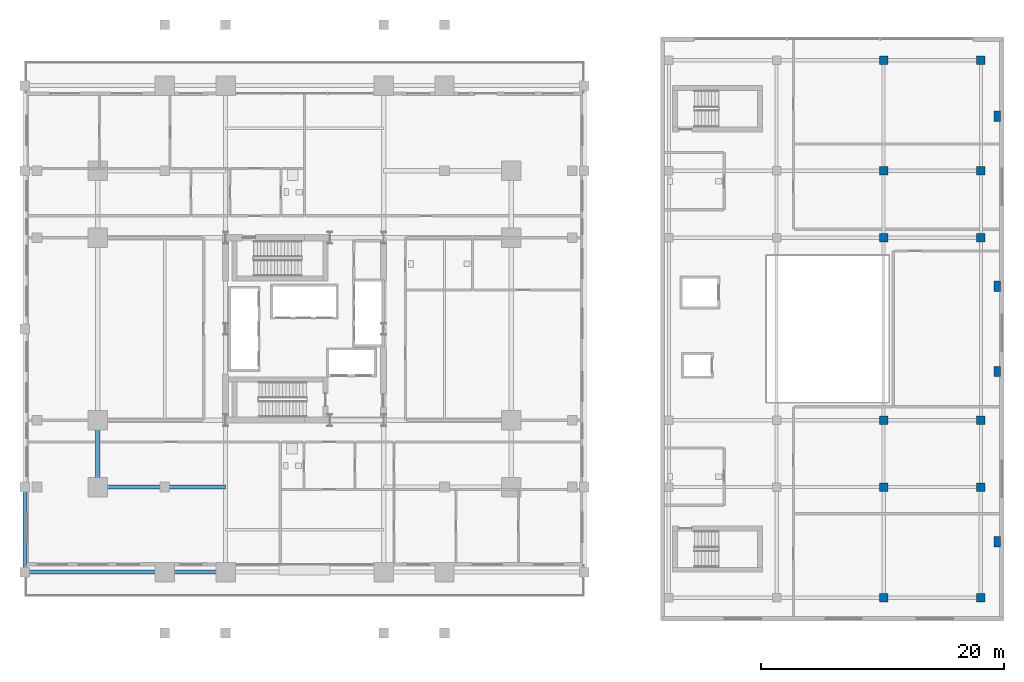
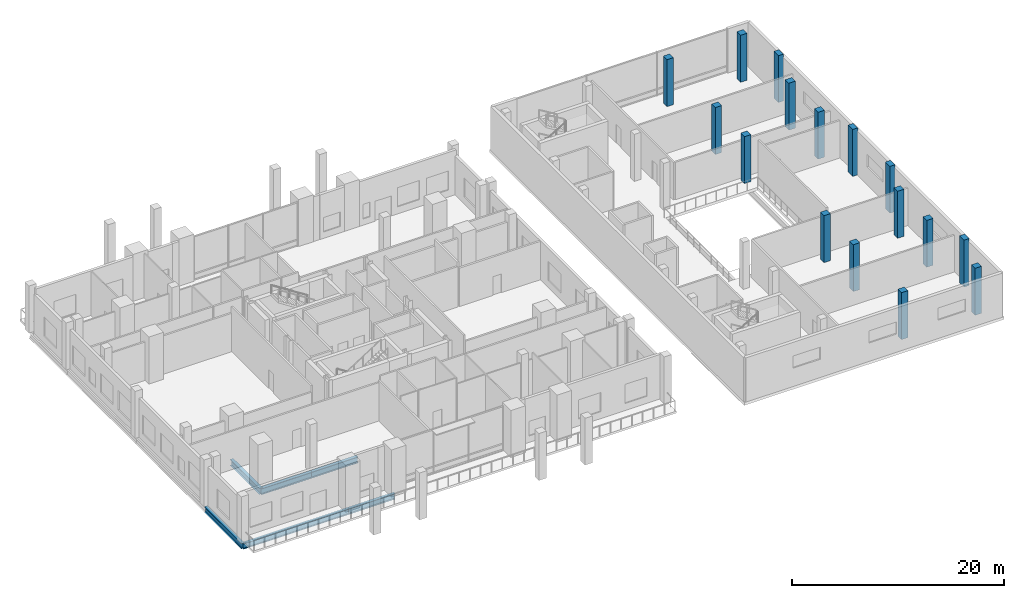
# One storey, part 2 of 22: 16 columns, 6 beams.
"""IFC4 building model written with IfcOpenShell, lengths in metres."""

from ifc_helpers import new_model, si_unit, direction, frame, origin, origin_2d, place, context, subcontext, project, spatial, rectangle, i_section, extrude, material, material_profile, profile_set, type_object, element, save


model = new_model("IFC4")

# Units and contexts
model_context = context("Model", 3, precision=1e-05, world=origin(), true_north=direction((0.0, 1.0)))
body_context = subcontext(model_context, "Body", "Model", "MODEL_VIEW")
ifc_project = project(units=[si_unit("LENGTHUNIT", "METRE"), si_unit("AREAUNIT", "SQUARE_METRE"), si_unit("VOLUMEUNIT", "CUBIC_METRE"), si_unit("PLANEANGLEUNIT", "RADIAN"), si_unit("MASSUNIT", "GRAM", prefix="KILO")], contexts=[model_context])

# Site, building, storey
site_placement = place(None, origin())
site = spatial("IfcSite", under=ifc_project, at=site_placement, CompositionType="ELEMENT")
building_placement = place(site_placement, origin())
building = spatial("IfcBuilding", under=site, at=building_placement, Name="Barlavira Tower and Art Museum", CompositionType="ELEMENT")
storey_placement = place(building_placement, frame((0.0, 0.0, 16.800048828125)))
storey = spatial("IfcBuildingStorey", under=building, at=storey_placement, Name="L03", CompositionType="ELEMENT", Elevation=16.800048828125)

# Columns
ifc_material_1 = material(Name="Concrete C50", Category="concrete")
ifc_material_profile_1 = material_profile(ifc_material_1, rectangle(XDim=0.550048828125, YDim=0.85009765625, at=origin_2d()), Name="RC-PIL 550x850")
ifc_profile_set_1 = profile_set([ifc_material_profile_1], Name="Concrete C50")
column_type_1 = type_object("IfcColumnType", Name="Museum Coastal Facade Pilaster 550x850 Concrete C50", PredefinedType="PILASTER", material=ifc_profile_set_1)
for number, where, z_axis, x_axis, name in (
    (1, (56.949951171875, -17.5, 0.0), (0.0, 0.0, 1.0), (1.0, 0.0, 0.0), "L03 Museum Facade Pilaster 1"),
    (2, (56.949951171875, -3.5, 0.0), (0.0, 0.0, 1.0), (1.0, 0.0, 0.0), "L03 Museum Facade Pilaster 2"),
    (3, (56.949951171875, 3.5, 0.0), (0.0, 0.0, 1.0), (1.0, 0.0, 0.0), "L03 Museum Facade Pilaster 3"),
    (4, (56.949951171875, 17.5, 0.0), (0.0, 0.0, 1.0), (1.0, 0.0, 0.0), "L03 Museum Facade Pilaster 4"),
):
    element("IfcColumn", number, at=place(storey_placement, frame(where, z_axis=z_axis, x_axis=x_axis)), inside=storey, type_object=column_type_1, Name=name, PredefinedType="PILASTER", context=body_context, shape_type="SweptSolid", body=[
        extrude(rectangle(XDim=0.550048828125, YDim=0.85009765625, at=origin_2d()), origin(), (0.0, 0.0, 1.0), 5.39990234375),
    ])
ifc_material_profile_2 = material_profile(ifc_material_1, rectangle(XDim=0.699951171875, YDim=0.699951171875, at=origin_2d()), Name="RC-COL 700x700")
ifc_profile_set_2 = profile_set([ifc_material_profile_2], Name="Concrete C50")
column_type_2 = type_object("IfcColumnType", Name="Museum Frame Column 700x700 Concrete C50", PredefinedType="COLUMN", material=ifc_profile_set_2)
for number, where, z_axis, x_axis, name in (
    (5, (47.60009765625, -22.10009765625, 0.0), (0.0, 0.0, 1.0), (1.0, 0.0, 0.0), "L03 Museum Column 3-1"),
    (6, (47.60009765625, -13.0, 0.0), (0.0, 0.0, 1.0), (1.0, 0.0, 0.0), "L03 Museum Column 3-2"),
    (7, (47.60009765625, -7.5, 0.0), (0.0, 0.0, 1.0), (1.0, 0.0, 0.0), "L03 Museum Column 3-3"),
    (8, (47.60009765625, 7.5, 0.0), (0.0, 0.0, 1.0), (1.0, 0.0, 0.0), "L03 Museum Column 3-4"),
    (9, (47.60009765625, 13.0, 0.0), (0.0, 0.0, 1.0), (1.0, 0.0, 0.0), "L03 Museum Column 3-5"),
    (10, (47.60009765625, 22.10009765625, 0.0), (0.0, 0.0, 1.0), (1.0, 0.0, 0.0), "L03 Museum Column 3-6"),
    (11, (55.60009765625, -22.10009765625, 0.0), (0.0, 0.0, 1.0), (1.0, 0.0, 0.0), "L03 Museum Column 4-1"),
    (12, (55.60009765625, -13.0, 0.0), (0.0, 0.0, 1.0), (1.0, 0.0, 0.0), "L03 Museum Column 4-2"),
    (13, (55.60009765625, -7.5, 0.0), (0.0, 0.0, 1.0), (1.0, 0.0, 0.0), "L03 Museum Column 4-3"),
    (14, (55.60009765625, 7.5, 0.0), (0.0, 0.0, 1.0), (1.0, 0.0, 0.0), "L03 Museum Column 4-4"),
    (15, (55.60009765625, 13.0, 0.0), (0.0, 0.0, 1.0), (1.0, 0.0, 0.0), "L03 Museum Column 4-5"),
    (16, (55.60009765625, 22.10009765625, 0.0), (0.0, 0.0, 1.0), (1.0, 0.0, 0.0), "L03 Museum Column 4-6"),
):
    element("IfcColumn", number, at=place(storey_placement, frame(where, z_axis=z_axis, x_axis=x_axis)), inside=storey, type_object=column_type_2, Name=name, PredefinedType="COLUMN", context=body_context, shape_type="SweptSolid", body=[
        extrude(rectangle(XDim=0.699951171875, YDim=0.699951171875, at=origin_2d()), origin(), (0.0, 0.0, 1.0), 5.39990234375),
    ])

# Beams
ifc_material_2 = material(Name="Steel S355", Category="steel")
ifc_material_profile_3 = material_profile(ifc_material_2, i_section(OverallWidth=0.327880859375, OverallDepth=0.62890625, WebThickness=0.013916015625, FlangeThickness=0.021484375, at=origin_2d()), Name="W610x174.0")
ifc_profile_set_3 = profile_set([ifc_material_profile_3], Name="Steel S355")
beam_type_1 = type_object("IfcBeamType", Name="Perimeter Spandrel Edge Beam W610x174 Steel S355", PredefinedType="SPANDREL", material=ifc_profile_set_3)
beam_1_placement = place(storey_placement, frame((-23.0, -20.0, -0.594482421875), z_axis=(1.0, 0.0, 0.0), x_axis=(0.0, 1.0, 0.0)))
element("IfcBeam", 17, at=beam_1_placement, inside=storey, type_object=beam_type_1, Name="L03 Podium Spandrel PS1", PredefinedType="SPANDREL", context=body_context, shape_type="SweptSolid", body=[
    extrude(i_section(OverallWidth=0.327880859375, OverallDepth=0.62890625, WebThickness=0.013916015625, FlangeThickness=0.021484375, at=origin_2d()), origin(), (0.0, 0.0, 1.0), 11.5),
])
beam_2_placement = place(storey_placement, frame((-11.5, -20.0, -0.594482421875), z_axis=(1.0, 0.0, 0.0), x_axis=(0.0, 1.0, 0.0)))
element("IfcBeam", 18, at=beam_2_placement, inside=storey, type_object=beam_type_1, Name="L03 Podium Spandrel PS2", PredefinedType="SPANDREL", context=body_context, shape_type="SweptSolid", body=[
    extrude(i_section(OverallWidth=0.327880859375, OverallDepth=0.62890625, WebThickness=0.013916015625, FlangeThickness=0.021484375, at=origin_2d()), origin(), (0.0, 0.0, 1.0), 5.0),
])
beam_3_placement = place(storey_placement, frame((-23.0, -20.0, -0.594482421875), z_axis=(0.0, 1.0, 0.0), x_axis=(-1.0, 0.0, 0.0)))
element("IfcBeam", 19, at=beam_3_placement, inside=storey, type_object=beam_type_1, Name="L03 Podium Spandrel PW1", PredefinedType="SPANDREL", context=body_context, shape_type="SweptSolid", body=[
    extrude(i_section(OverallWidth=0.327880859375, OverallDepth=0.62890625, WebThickness=0.013916015625, FlangeThickness=0.021484375, at=origin_2d()), origin(), (0.0, 0.0, 1.0), 7.0),
])
ifc_material_profile_4 = material_profile(ifc_material_2, i_section(OverallWidth=0.35595703125, OverallDepth=0.695068359375, WebThickness=0.014892578125, FlangeThickness=0.023681640625, at=origin_2d()), Name="W690x192.0")
ifc_profile_set_4 = profile_set([ifc_material_profile_4], Name="Steel S355")
beam_type_2 = type_object("IfcBeamType", Name="Podium Primary Girder W690x192 Steel S355", PredefinedType="BEAM", material=ifc_profile_set_4)
for number, where, z_axis, x_axis, name in (
    (20, (-17.0, -13.0, -0.62744140625), (0.0, 1.0, 0.0), (-1.0, 0.0, 0.0), "L03 Girder M-W1"),
    (21, (-17.0, -13.0, -0.62744140625), (1.0, 0.0, 0.0), (0.0, 1.0, 0.0), "L03 Girder I-S1"),
):
    element("IfcBeam", number, at=place(storey_placement, frame(where, z_axis=z_axis, x_axis=x_axis)), inside=storey, type_object=beam_type_2, Name=name, PredefinedType="BEAM", context=body_context, shape_type="SweptSolid", body=[
        extrude(i_section(OverallWidth=0.35595703125, OverallDepth=0.695068359375, WebThickness=0.014892578125, FlangeThickness=0.023681640625, at=origin_2d()), origin(), (0.0, 0.0, 1.0), 5.5),
    ])
beam_4_placement = place(storey_placement, frame((-11.5, -13.0, -0.62744140625), z_axis=(1.0, 0.0, 0.0), x_axis=(0.0, 1.0, 0.0)))
element("IfcBeam", 22, at=beam_4_placement, inside=storey, type_object=beam_type_2, Name="L03 Girder I-S2", PredefinedType="BEAM", context=body_context, shape_type="SweptSolid", body=[
    extrude(i_section(OverallWidth=0.35595703125, OverallDepth=0.695068359375, WebThickness=0.014892578125, FlangeThickness=0.023681640625, at=origin_2d()), origin(), (0.0, 0.0, 1.0), 5.0),
])

save(model, "model.ifc")
